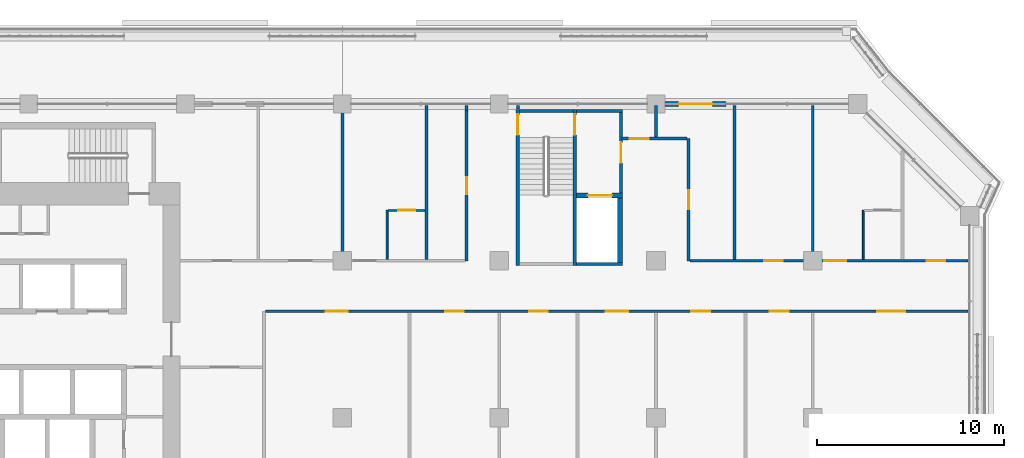
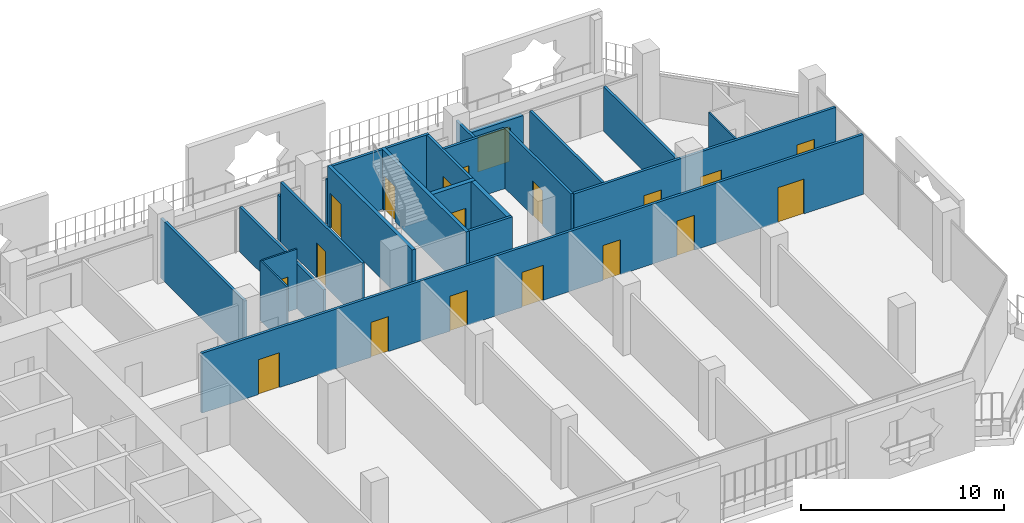
# One storey, part 13 of 21: 24 walls, 19 doors, 19 openings.
"""IFC4 building model written with IfcOpenShell, lengths in metres."""

from ifc_helpers import new_model, si_unit, direction, frame, frame_2d, origin, place, context, subcontext, project, spatial, rectangle, extrude, material, layer, layer_set, type_object, element, fill, save


model = new_model("IFC4")

# Units and contexts
model_context = context("Model", 3, precision=1e-05, world=origin(), true_north=direction((0.0, 1.0)))
body_context = subcontext(model_context, "Body", "Model", "MODEL_VIEW")
ifc_project = project(units=[si_unit("LENGTHUNIT", "METRE"), si_unit("AREAUNIT", "SQUARE_METRE"), si_unit("VOLUMEUNIT", "CUBIC_METRE"), si_unit("PLANEANGLEUNIT", "RADIAN"), si_unit("MASSUNIT", "GRAM", prefix="KILO")], contexts=[model_context])

# Site, building, storey
site_placement = place(None, origin())
site = spatial("IfcSite", under=ifc_project, at=site_placement, CompositionType="ELEMENT")
building_placement = place(site_placement, origin())
building = spatial("IfcBuilding", under=site, at=building_placement, Name="Kawkab Arch Medical Tower", CompositionType="ELEMENT")
storey_placement = place(building_placement, frame((0.0, 0.0, 200.39990234375)))
storey = spatial("IfcBuildingStorey", under=building, at=storey_placement, Name="L46", CompositionType="ELEMENT", Elevation=200.39990234375)

# Wall, opening, door
ifc_material_1 = material(Name="Gypsum board on steel studs", Category="steel")
ifc_layer_1 = layer(ifc_material_1, 0.14990234375)
ifc_layer_set_1 = layer_set([ifc_layer_1], Name="Gypsum board on steel studs")
wall_type_1 = type_object("IfcWallType", Name="Core room partition 150", PredefinedType="PARTITIONING", material=ifc_layer_set_1)
wall_1_placement = place(storey_placement, frame((48.52490234375, -4.77490234375, 0.0), z_axis=(0.0, 0.0, 1.0), x_axis=(0.0, 1.0, 0.0)))
wall_1 = element("IfcWall", 1, at=wall_1_placement, inside=storey, type_object=wall_type_1, Name="L46 core room partition", PredefinedType="PARTITIONING", context=body_context, shape_type="SweptSolid", body=[
    extrude(rectangle(XDim=4.324951171875, YDim=0.14990234375, at=frame_2d((2.16259765625, 0.0))), origin(), (0.0, 0.0, 1.0), 3.60009765625),
])
opening_1_placement = place(wall_1_placement, frame((1.625, 0.0, 0.0)))
opening_1 = element("IfcOpeningElement", 2, at=opening_1_placement, cuts=wall_1, Name="Opening FD", PredefinedType="OPENING", context=body_context, shape_type="SweptSolid", body=[
    extrude(rectangle(XDim=1.10009765625, YDim=2.10009765625, at=frame_2d((0.550048828125, 1.050048828125))), frame((0.0, 0.0849609375, 0.0), z_axis=(0.0, -1.0, 0.0), x_axis=(1.0, 0.0, 0.0)), (0.0, 0.0, 1.0), 0.169921875),
])
ifc_material_2 = material(Name="Hollow metal fire door leaf")
door_type_1 = type_object("IfcDoorType", Name="Firefighting lobby door 1100", OperationType="SINGLE_SWING_LEFT", PredefinedType="DOOR", material=ifc_material_2)
door_1_placement = place(opening_1_placement, origin())
door_1 = element("IfcDoor", 3, at=door_1_placement, inside=storey, type_object=door_type_1, Name="L46 Service lift lobby door SV1", OperationType="SINGLE_SWING_LEFT", OverallHeight=2.10009765625, OverallWidth=1.10009765625, PredefinedType="DOOR", context=body_context, shape_type="SweptSolid", body=[
    extrude(rectangle(XDim=1.10009765625, YDim=2.10009765625, at=frame_2d((0.550048828125, 1.050048828125))), frame((0.0, 0.02490234375, 0.0), z_axis=(0.0, -1.0, 0.0), x_axis=(1.0, 0.0, 0.0)), (0.0, 0.0, 1.0), 0.050048828125),
])
fill(opening_1, door_1)

ifc_material_3 = material(Name="Concrete C60/75", Category="concrete")
ifc_layer_2 = layer(ifc_material_3, 0.25)
ifc_layer_set_2 = layer_set([ifc_layer_2], Name="Concrete C60/75")
wall_type_2 = type_object("IfcWallType", Name="Core shear wall 250 C60/75", PredefinedType="SHEAR", material=ifc_layer_set_2)
wall_2_placement = place(storey_placement, frame((46.14990234375, -4.89990234375, 0.0), z_axis=(0.0, 0.0, 1.0), x_axis=(1.0, 0.0, 0.0)))
wall_2 = element("IfcWall", 4, at=wall_2_placement, inside=storey, type_object=wall_type_2, Name="L46 core shear wall", PredefinedType="SHEAR", context=body_context, shape_type="SweptSolid", body=[
    extrude(rectangle(XDim=2.4501953125, YDim=0.25, at=frame_2d((1.22509765625, 0.0))), origin(), (0.0, 0.0, 1.0), 3.60009765625),
])
opening_2_placement = place(wall_2_placement, frame((0.60009765625, 0.0, 0.0)))
opening_2 = element("IfcOpeningElement", 5, at=opening_2_placement, cuts=wall_2, Name="Opening LD2", PredefinedType="OPENING", context=body_context, shape_type="SweptSolid", body=[
    extrude(rectangle(XDim=1.300048828125, YDim=2.10009765625, at=frame_2d((0.64990234375, 1.050048828125))), frame((0.0, 0.135009765625, 0.0), z_axis=(0.0, -1.0, 0.0), x_axis=(1.0, 0.0, 0.0)), (0.0, 0.0, 1.0), 0.27001953125),
])
ifc_material_4 = material(Name="Stainless steel lift door leaf", Category="steel")
door_type_2 = type_object("IfcDoorType", Name="Lift landing door 1300", OperationType="DOUBLE_DOOR_SLIDING", PredefinedType="DOOR", material=ifc_material_4)
door_2_placement = place(opening_2_placement, origin())
door_2 = element("IfcDoor", 6, at=door_2_placement, inside=storey, type_object=door_type_2, Name="L46 Lift landing door SV1", OperationType="DOUBLE_DOOR_SLIDING", OverallHeight=2.10009765625, OverallWidth=1.300048828125, PredefinedType="DOOR", context=body_context, shape_type="SweptSolid", body=[
    extrude(rectangle(XDim=1.300048828125, YDim=2.10009765625, at=frame_2d((0.64990234375, 1.050048828125))), frame((0.0, 0.02490234375, 0.0), z_axis=(0.0, -1.0, 0.0), x_axis=(1.0, 0.0, 0.0)), (0.0, 0.0, 1.0), 0.050048828125),
])
fill(opening_2, door_2)

# Wall
wall_3_placement = place(storey_placement, frame((48.47509765625, -8.5, 0.0), z_axis=(0.0, 0.0, 1.0), x_axis=(0.0, 1.0, 0.0)))
element("IfcWall", 7, at=wall_3_placement, inside=storey, type_object=wall_type_2, Name="L46 core shear wall", PredefinedType="SHEAR", context=body_context, shape_type="SweptSolid", body=[
    extrude(rectangle(XDim=3.47509765625, YDim=0.25, at=frame_2d((1.737548828125, 0.0))), origin(), (0.0, 0.0, 1.0), 3.60009765625),
])

# Wall, opening, door
ifc_material_5 = material(Name="Bronze clad insulated wall panel")
ifc_layer_3 = layer(ifc_material_5, 0.25)
ifc_layer_set_3 = layer_set([ifc_layer_3], Name="Bronze clad insulated wall panel")
wall_type_3 = type_object("IfcWallType", Name="External wall bay 250", PredefinedType="SOLIDWALL", material=ifc_layer_set_3)
wall_4_placement = place(storey_placement, frame((54.14990234375, 0.0, 0.0), z_axis=(0.0, 0.0, 1.0), x_axis=(-1.0, 0.0, 0.0)))
wall_4 = element("IfcWall", 8, at=wall_4_placement, inside=storey, type_object=wall_type_3, Name="External wall bay L46.R11.1.3", PredefinedType="SOLIDWALL", context=body_context, shape_type="SweptSolid", body=[
    extrude(rectangle(XDim=3.27490234375, YDim=0.25, at=frame_2d((1.637451171875, 0.0))), origin(), (0.0, 0.0, 1.0), 2.580078125),
])
opening_3_placement = place(wall_4_placement, frame((0.737548828125, 0.0, 0.0)))
opening_3 = element("IfcOpeningElement", 9, at=opening_3_placement, cuts=wall_4, Name="Opening W41-701", PredefinedType="OPENING", context=body_context, shape_type="SweptSolid", body=[
    extrude(rectangle(XDim=1.800048828125, YDim=2.10009765625, at=frame_2d((0.89990234375, 1.050048828125))), frame((0.0, 0.135009765625, 0.0), z_axis=(0.0, -1.0, 0.0), x_axis=(1.0, 0.0, 0.0)), (0.0, 0.0, 1.0), 0.27001953125),
])
ifc_material_6 = material(Name="Bronze anodised aluminium door with tinted glass", Category="aluminium")
door_type_3 = type_object("IfcDoorType", Name="Double external door 1800 x 2100", OperationType="DOUBLE_DOOR_SINGLE_SWING", PredefinedType="DOOR", material=ifc_material_6)
door_3_placement = place(opening_3_placement, origin())
door_3 = element("IfcDoor", 10, at=door_3_placement, inside=storey, type_object=door_type_3, Name="External door L46.R11.1.3", OperationType="DOUBLE_DOOR_SINGLE_SWING", OverallHeight=2.10009765625, OverallWidth=1.800048828125, PredefinedType="DOOR", context=body_context, shape_type="SweptSolid", body=[
    extrude(rectangle(XDim=1.800048828125, YDim=2.10009765625, at=frame_2d((0.89990234375, 1.050048828125))), frame((0.0, 0.02490234375, 0.0), z_axis=(0.0, -1.0, 0.0), x_axis=(1.0, 0.0, 0.0)), (0.0, 0.0, 1.0), 0.050048828125),
])
fill(opening_3, door_3)

ifc_material_7 = material(Name="Gypsum board partition on steel studs", Category="steel")
ifc_layer_4 = layer(ifc_material_7, 0.10009765625)
ifc_layer_set_4 = layer_set([ifc_layer_4], Name="Gypsum board partition on steel studs")
wall_type_4 = type_object("IfcWallType", Name="Partition 100", PredefinedType="PARTITIONING", material=ifc_layer_set_4)
wall_5_placement = place(storey_placement, frame((36.050048828125, -5.699951171875, 0.0), z_axis=(0.0, 0.0, 1.0), x_axis=(1.0, 0.0, 0.0)))
wall_5 = element("IfcWall", 11, at=wall_5_placement, inside=storey, type_object=wall_type_4, Name="Partition 100 w002", PredefinedType="PARTITIONING", context=body_context, shape_type="SweptSolid", body=[
    extrude(rectangle(XDim=1.974853515625, YDim=0.10009765625, at=frame_2d((0.9873046875, 0.0))), origin(), (0.0, 0.0, 1.0), 3.60009765625),
])
opening_4_placement = place(wall_5_placement, frame((0.550048828125, 0.0, 0.0)))
opening_4 = element("IfcOpeningElement", 12, at=opening_4_placement, cuts=wall_5, Name="Opening W41-004", PredefinedType="OPENING", context=body_context, shape_type="SweptSolid", body=[
    extrude(rectangle(XDim=0.89990234375, YDim=2.10009765625, at=frame_2d((0.449951171875, 1.050048828125))), frame((0.0, 0.06005859375, 0.0), z_axis=(0.0, -1.0, 0.0), x_axis=(1.0, 0.0, 0.0)), (0.0, 0.0, 1.0), 0.1201171875),
])
ifc_material_8 = material(Name="Timber door leaf", Category="wood")
door_type_4 = type_object("IfcDoorType", Name="Single door 900x2100", OperationType="NOTDEFINED", PredefinedType="DOOR", material=ifc_material_8)
door_4_placement = place(opening_4_placement, origin())
door_4 = element("IfcDoor", 13, at=door_4_placement, inside=storey, type_object=door_type_4, Name="Door W41-004", OperationType="SINGLE_SWING_RIGHT", OverallHeight=2.10009765625, OverallWidth=0.89990234375, PredefinedType="DOOR", context=body_context, shape_type="SweptSolid", body=[
    extrude(rectangle(XDim=0.89990234375, YDim=2.10009765625, at=frame_2d((0.449951171875, 1.050048828125))), frame((0.0, 0.02490234375, 0.0), z_axis=(0.0, -1.0, 0.0), x_axis=(1.0, 0.0, 0.0)), (0.0, 0.0, 1.0), 0.050048828125),
])
fill(opening_4, door_4)

# Walls
for number, where, z_axis, x_axis, name in (
    (14, (36.0, -8.324951171875, 0.0), (0.0, 0.0, 1.0), (0.0, 1.0, 0.0), "Partition 100 w005"),
    (15, (61.5, -8.324951171875, 0.0), (0.0, 0.0, 1.0), (0.0, 1.0, 0.0), "Partition 100 w006"),
):
    element("IfcWall", number, at=place(storey_placement, frame(where, z_axis=z_axis, x_axis=x_axis)), inside=storey, type_object=wall_type_4, Name=name, PredefinedType="PARTITIONING", context=body_context, shape_type="SweptSolid", body=[
        extrude(rectangle(XDim=2.625, YDim=0.10009765625, at=frame_2d((1.3125, 0.0))), origin(), (0.0, 0.0, 1.0), 3.60009765625),
    ])

# Wall, openings, doors
ifc_material_9 = material(Name="Gypsum board partition on steel studs, mineral wool", Category="steel")
ifc_layer_5 = layer(ifc_material_9, 0.14990234375)
ifc_layer_set_5 = layer_set([ifc_layer_5], Name="Gypsum board partition on steel studs, mineral wool")
wall_type_5 = type_object("IfcWallType", Name="Partition 150", PredefinedType="PARTITIONING", material=ifc_layer_set_5)
wall_6_placement = place(storey_placement, frame((29.47509765625, -11.10009765625, 0.0), z_axis=(0.0, 0.0, 1.0), x_axis=(1.0, 0.0, 0.0)))
wall_6 = element("IfcWall", 16, at=wall_6_placement, inside=storey, type_object=wall_type_5, Name="Partition 150 w020", PredefinedType="PARTITIONING", context=body_context, shape_type="SweptSolid", body=[
    extrude(rectangle(XDim=37.64501953125, YDim=0.14990234375, at=frame_2d((18.822509765625, 0.0))), origin(), (0.0, 0.0, 1.0), 3.60009765625),
])
opening_5_placement = place(wall_6_placement, frame((3.22509765625, 0.0, 0.0)))
opening_5 = element("IfcOpeningElement", 17, at=opening_5_placement, cuts=wall_6, Name="Opening W41-026", PredefinedType="OPENING", context=body_context, shape_type="SweptSolid", body=[
    extrude(rectangle(XDim=1.199951171875, YDim=2.10009765625, at=frame_2d((0.60009765625, 1.050048828125))), frame((0.0, 0.0849609375, 0.0), z_axis=(0.0, -1.0, 0.0), x_axis=(1.0, 0.0, 0.0)), (0.0, 0.0, 1.0), 0.169921875),
])
opening_6_placement = place(wall_6_placement, frame((9.625, 0.0, 0.0)))
opening_6 = element("IfcOpeningElement", 18, at=opening_6_placement, cuts=wall_6, Name="Opening W41-013", PredefinedType="OPENING", context=body_context, shape_type="SweptSolid", body=[
    extrude(rectangle(XDim=1.0, YDim=2.10009765625, at=frame_2d((0.5, 1.050048828125))), frame((0.0, 0.0849609375, 0.0), z_axis=(0.0, -1.0, 0.0), x_axis=(1.0, 0.0, 0.0)), (0.0, 0.0, 1.0), 0.169921875),
])
opening_7_placement = place(wall_6_placement, frame((14.125, 0.0, 0.0)))
opening_7 = element("IfcOpeningElement", 19, at=opening_7_placement, cuts=wall_6, Name="Opening W41-014", PredefinedType="OPENING", context=body_context, shape_type="SweptSolid", body=[
    extrude(rectangle(XDim=1.0, YDim=2.10009765625, at=frame_2d((0.5, 1.050048828125))), frame((0.0, 0.0849609375, 0.0), z_axis=(0.0, -1.0, 0.0), x_axis=(1.0, 0.0, 0.0)), (0.0, 0.0, 1.0), 0.169921875),
])
opening_8_placement = place(wall_6_placement, frame((18.22509765625, 0.0, 0.0)))
opening_8 = element("IfcOpeningElement", 20, at=opening_8_placement, cuts=wall_6, Name="Opening W41-027", PredefinedType="OPENING", context=body_context, shape_type="SweptSolid", body=[
    extrude(rectangle(XDim=1.199951171875, YDim=2.10009765625, at=frame_2d((0.60009765625, 1.050048828125))), frame((0.0, 0.0849609375, 0.0), z_axis=(0.0, -1.0, 0.0), x_axis=(1.0, 0.0, 0.0)), (0.0, 0.0, 1.0), 0.169921875),
])
opening_9_placement = place(wall_6_placement, frame((22.824951171875, 0.0, 0.0)))
opening_9 = element("IfcOpeningElement", 21, at=opening_9_placement, cuts=wall_6, Name="Opening W41-015", PredefinedType="OPENING", context=body_context, shape_type="SweptSolid", body=[
    extrude(rectangle(XDim=1.0, YDim=2.10009765625, at=frame_2d((0.5, 1.050048828125))), frame((0.0, 0.0849609375, 0.0), z_axis=(0.0, -1.0, 0.0), x_axis=(1.0, 0.0, 0.0)), (0.0, 0.0, 1.0), 0.169921875),
])
opening_10_placement = place(wall_6_placement, frame((27.02490234375, 0.0, 0.0)))
opening_10 = element("IfcOpeningElement", 22, at=opening_10_placement, cuts=wall_6, Name="Opening W41-016", PredefinedType="OPENING", context=body_context, shape_type="SweptSolid", body=[
    extrude(rectangle(XDim=1.0, YDim=2.10009765625, at=frame_2d((0.5, 1.050048828125))), frame((0.0, 0.0849609375, 0.0), z_axis=(0.0, -1.0, 0.0), x_axis=(1.0, 0.0, 0.0)), (0.0, 0.0, 1.0), 0.169921875),
])
opening_11_placement = place(wall_6_placement, frame((32.77490234375, 0.0, 0.0)))
opening_11 = element("IfcOpeningElement", 23, at=opening_11_placement, cuts=wall_6, Name="Opening W41-002", PredefinedType="OPENING", context=body_context, shape_type="SweptSolid", body=[
    extrude(rectangle(XDim=1.5, YDim=2.10009765625, at=frame_2d((0.75, 1.050048828125))), frame((0.0, 0.0849609375, 0.0), z_axis=(0.0, -1.0, 0.0), x_axis=(1.0, 0.0, 0.0)), (0.0, 0.0, 1.0), 0.169921875),
])
ifc_material_10 = material(Name="Hollow metal door leaf")
door_type_5 = type_object("IfcDoorType", Name="Double door 1500x2100 FD30S", OperationType="NOTDEFINED", PredefinedType="DOOR", material=ifc_material_10)
door_5_placement = place(opening_11_placement, origin())
door_5 = element("IfcDoor", 24, at=door_5_placement, inside=storey, type_object=door_type_5, Name="Door W41-002", OperationType="DOUBLE_DOOR_SINGLE_SWING", OverallHeight=2.10009765625, OverallWidth=1.5, PredefinedType="DOOR", context=body_context, shape_type="SweptSolid", body=[
    extrude(rectangle(XDim=1.5, YDim=2.10009765625, at=frame_2d((0.75, 1.050048828125))), frame((0.0, 0.02490234375, 0.0), z_axis=(0.0, -1.0, 0.0), x_axis=(1.0, 0.0, 0.0)), (0.0, 0.0, 1.0), 0.050048828125),
])
fill(opening_11, door_5)
ifc_material_11 = material(Name="Hollow metal door leaf")
door_type_6 = type_object("IfcDoorType", Name="Single door 1000x2100 FD30S", OperationType="NOTDEFINED", PredefinedType="DOOR", material=ifc_material_11)
door_6_placement = place(opening_6_placement, origin())
door_6 = element("IfcDoor", 25, at=door_6_placement, inside=storey, type_object=door_type_6, Name="Door W41-013", OperationType="SINGLE_SWING_RIGHT", OverallHeight=2.10009765625, OverallWidth=1.0, PredefinedType="DOOR", context=body_context, shape_type="SweptSolid", body=[
    extrude(rectangle(XDim=1.0, YDim=2.10009765625, at=frame_2d((0.5, 1.050048828125))), frame((0.0, 0.02490234375, 0.0), z_axis=(0.0, -1.0, 0.0), x_axis=(1.0, 0.0, 0.0)), (0.0, 0.0, 1.0), 0.050048828125),
])
fill(opening_6, door_6)
door_7_placement = place(opening_7_placement, origin())
door_7 = element("IfcDoor", 26, at=door_7_placement, inside=storey, type_object=door_type_6, Name="Door W41-014", OperationType="SINGLE_SWING_RIGHT", OverallHeight=2.10009765625, OverallWidth=1.0, PredefinedType="DOOR", context=body_context, shape_type="SweptSolid", body=[
    extrude(rectangle(XDim=1.0, YDim=2.10009765625, at=frame_2d((0.5, 1.050048828125))), frame((0.0, 0.02490234375, 0.0), z_axis=(0.0, -1.0, 0.0), x_axis=(1.0, 0.0, 0.0)), (0.0, 0.0, 1.0), 0.050048828125),
])
fill(opening_7, door_7)
door_8_placement = place(opening_9_placement, origin())
door_8 = element("IfcDoor", 27, at=door_8_placement, inside=storey, type_object=door_type_6, Name="Door W41-015", OperationType="SINGLE_SWING_LEFT", OverallHeight=2.10009765625, OverallWidth=1.0, PredefinedType="DOOR", context=body_context, shape_type="SweptSolid", body=[
    extrude(rectangle(XDim=1.0, YDim=2.10009765625, at=frame_2d((0.5, 1.050048828125))), frame((0.0, 0.02490234375, 0.0), z_axis=(0.0, -1.0, 0.0), x_axis=(1.0, 0.0, 0.0)), (0.0, 0.0, 1.0), 0.050048828125),
])
fill(opening_9, door_8)
door_9_placement = place(opening_10_placement, origin())
door_9 = element("IfcDoor", 28, at=door_9_placement, inside=storey, type_object=door_type_6, Name="Door W41-016", OperationType="SINGLE_SWING_LEFT", OverallHeight=2.10009765625, OverallWidth=1.0, PredefinedType="DOOR", context=body_context, shape_type="SweptSolid", body=[
    extrude(rectangle(XDim=1.0, YDim=2.10009765625, at=frame_2d((0.5, 1.050048828125))), frame((0.0, 0.02490234375, 0.0), z_axis=(0.0, -1.0, 0.0), x_axis=(1.0, 0.0, 0.0)), (0.0, 0.0, 1.0), 0.050048828125),
])
fill(opening_10, door_9)
ifc_material_12 = material(Name="Hollow metal door leaf")
door_type_7 = type_object("IfcDoorType", Name="Single door 1200x2100 FD30S", OperationType="NOTDEFINED", PredefinedType="DOOR", material=ifc_material_12)
door_10_placement = place(opening_5_placement, origin())
door_10 = element("IfcDoor", 29, at=door_10_placement, inside=storey, type_object=door_type_7, Name="Door W41-026", OperationType="SINGLE_SWING_RIGHT", OverallHeight=2.10009765625, OverallWidth=1.199951171875, PredefinedType="DOOR", context=body_context, shape_type="SweptSolid", body=[
    extrude(rectangle(XDim=1.199951171875, YDim=2.10009765625, at=frame_2d((0.60009765625, 1.050048828125))), frame((0.0, 0.02490234375, 0.0), z_axis=(0.0, -1.0, 0.0), x_axis=(1.0, 0.0, 0.0)), (0.0, 0.0, 1.0), 0.050048828125),
])
fill(opening_5, door_10)
door_11_placement = place(opening_8_placement, origin())
door_11 = element("IfcDoor", 30, at=door_11_placement, inside=storey, type_object=door_type_7, Name="Door W41-027", OperationType="SINGLE_SWING_LEFT", OverallHeight=2.10009765625, OverallWidth=1.199951171875, PredefinedType="DOOR", context=body_context, shape_type="SweptSolid", body=[
    extrude(rectangle(XDim=1.199951171875, YDim=2.10009765625, at=frame_2d((0.60009765625, 1.050048828125))), frame((0.0, 0.02490234375, 0.0), z_axis=(0.0, -1.0, 0.0), x_axis=(1.0, 0.0, 0.0)), (0.0, 0.0, 1.0), 0.050048828125),
])
fill(opening_8, door_11)

wall_7_placement = place(storey_placement, frame((52.218017578125, -8.39990234375, 0.0), z_axis=(0.0, 0.0, 1.0), x_axis=(1.0, 0.0, 0.0)))
wall_7 = element("IfcWall", 31, at=wall_7_placement, inside=storey, type_object=wall_type_5, Name="Partition 150 w023", PredefinedType="PARTITIONING", context=body_context, shape_type="SweptSolid", body=[
    extrude(rectangle(XDim=14.902099609375, YDim=0.14990234375, at=frame_2d((7.451171875, 0.0))), origin(), (0.0, 0.0, 1.0), 3.60009765625),
])
opening_12_placement = place(wall_7_placement, frame((3.98193359375, 0.0, 0.0)))
opening_12 = element("IfcOpeningElement", 32, at=opening_12_placement, cuts=wall_7, Name="Opening W41-011", PredefinedType="OPENING", context=body_context, shape_type="SweptSolid", body=[
    extrude(rectangle(XDim=1.0, YDim=2.10009765625, at=frame_2d((0.5, 1.050048828125))), frame((0.0, 0.0849609375, 0.0), z_axis=(0.0, -1.0, 0.0), x_axis=(1.0, 0.0, 0.0)), (0.0, 0.0, 1.0), 0.169921875),
])
opening_13_placement = place(wall_7_placement, frame((7.181884765625, 0.0, 0.0)))
opening_13 = element("IfcOpeningElement", 33, at=opening_13_placement, cuts=wall_7, Name="Opening W41-025", PredefinedType="OPENING", context=body_context, shape_type="SweptSolid", body=[
    extrude(rectangle(XDim=1.199951171875, YDim=2.10009765625, at=frame_2d((0.60009765625, 1.050048828125))), frame((0.0, 0.0849609375, 0.0), z_axis=(0.0, -1.0, 0.0), x_axis=(1.0, 0.0, 0.0)), (0.0, 0.0, 1.0), 0.169921875),
])
opening_14_placement = place(wall_7_placement, frame((12.681884765625, 0.0, 0.0)))
opening_14 = element("IfcOpeningElement", 34, at=opening_14_placement, cuts=wall_7, Name="Opening W41-012", PredefinedType="OPENING", context=body_context, shape_type="SweptSolid", body=[
    extrude(rectangle(XDim=1.0, YDim=2.10009765625, at=frame_2d((0.5, 1.050048828125))), frame((0.0, 0.0849609375, 0.0), z_axis=(0.0, -1.0, 0.0), x_axis=(1.0, 0.0, 0.0)), (0.0, 0.0, 1.0), 0.169921875),
])
door_12_placement = place(opening_12_placement, origin())
door_12 = element("IfcDoor", 35, at=door_12_placement, inside=storey, type_object=door_type_6, Name="Door W41-011", OperationType="SINGLE_SWING_LEFT", OverallHeight=2.10009765625, OverallWidth=1.0, PredefinedType="DOOR", context=body_context, shape_type="SweptSolid", body=[
    extrude(rectangle(XDim=1.0, YDim=2.10009765625, at=frame_2d((0.5, 1.050048828125))), frame((0.0, 0.02490234375, 0.0), z_axis=(0.0, -1.0, 0.0), x_axis=(1.0, 0.0, 0.0)), (0.0, 0.0, 1.0), 0.050048828125),
])
fill(opening_12, door_12)
door_13_placement = place(opening_14_placement, origin())
door_13 = element("IfcDoor", 36, at=door_13_placement, inside=storey, type_object=door_type_6, Name="Door W41-012", OperationType="SINGLE_SWING_RIGHT", OverallHeight=2.10009765625, OverallWidth=1.0, PredefinedType="DOOR", context=body_context, shape_type="SweptSolid", body=[
    extrude(rectangle(XDim=1.0, YDim=2.10009765625, at=frame_2d((0.5, 1.050048828125))), frame((0.0, 0.02490234375, 0.0), z_axis=(0.0, -1.0, 0.0), x_axis=(1.0, 0.0, 0.0)), (0.0, 0.0, 1.0), 0.050048828125),
])
fill(opening_14, door_13)
door_14_placement = place(opening_13_placement, origin())
door_14 = element("IfcDoor", 37, at=door_14_placement, inside=storey, type_object=door_type_7, Name="Door W41-025", OperationType="SINGLE_SWING_RIGHT", OverallHeight=2.10009765625, OverallWidth=1.199951171875, PredefinedType="DOOR", context=body_context, shape_type="SweptSolid", body=[
    extrude(rectangle(XDim=1.199951171875, YDim=2.10009765625, at=frame_2d((0.60009765625, 1.050048828125))), frame((0.0, 0.02490234375, 0.0), z_axis=(0.0, -1.0, 0.0), x_axis=(1.0, 0.0, 0.0)), (0.0, 0.0, 1.0), 0.050048828125),
])
fill(opening_13, door_14)

# Wall, opening, door
wall_8_placement = place(storey_placement, frame((48.550048828125, -1.85009765625, 0.0), z_axis=(0.0, 0.0, 1.0), x_axis=(1.0, 0.0, 0.0)))
wall_8 = element("IfcWall", 38, at=wall_8_placement, inside=storey, type_object=wall_type_5, Name="Partition 150 w024", PredefinedType="PARTITIONING", context=body_context, shape_type="SweptSolid", body=[
    extrude(rectangle(XDim=3.515869140625, YDim=0.14990234375, at=frame_2d((1.7578125, 0.0))), origin(), (0.0, 0.0, 1.0), 3.60009765625),
])
opening_15_placement = place(wall_8_placement, frame((0.449951171875, 0.0, 0.0)))
opening_15 = element("IfcOpeningElement", 39, at=opening_15_placement, cuts=wall_8, Name="Opening W41-009", PredefinedType="OPENING", context=body_context, shape_type="SweptSolid", body=[
    extrude(rectangle(XDim=1.0, YDim=2.10009765625, at=frame_2d((0.5, 1.050048828125))), frame((0.0, 0.0849609375, 0.0), z_axis=(0.0, -1.0, 0.0), x_axis=(1.0, 0.0, 0.0)), (0.0, 0.0, 1.0), 0.169921875),
])
door_15_placement = place(opening_15_placement, origin())
door_15 = element("IfcDoor", 40, at=door_15_placement, inside=storey, type_object=door_type_6, Name="Door W41-009", OperationType="SINGLE_SWING_LEFT", OverallHeight=2.10009765625, OverallWidth=1.0, PredefinedType="DOOR", context=body_context, shape_type="SweptSolid", body=[
    extrude(rectangle(XDim=1.0, YDim=2.10009765625, at=frame_2d((0.5, 1.050048828125))), frame((0.0, 0.02490234375, 0.0), z_axis=(0.0, -1.0, 0.0), x_axis=(1.0, 0.0, 0.0)), (0.0, 0.0, 1.0), 0.050048828125),
])
fill(opening_15, door_15)

# Walls
wall_9_placement = place(storey_placement, frame((33.60009765625, -8.324951171875, 0.0), z_axis=(0.0, 0.0, 1.0), x_axis=(0.0, 1.0, 0.0)))
element("IfcWall", 41, at=wall_9_placement, inside=storey, type_object=wall_type_5, Name="Partition 150 w033", PredefinedType="PARTITIONING", context=body_context, shape_type="SweptSolid", body=[
    extrude(rectangle(XDim=8.244873046875, YDim=0.14990234375, at=frame_2d((4.12255859375, 0.0))), origin(), (0.0, 0.0, 1.0), 3.60009765625),
])
wall_10_placement = place(storey_placement, frame((38.10009765625, -8.324951171875, 0.0), z_axis=(0.0, 0.0, 1.0), x_axis=(0.0, 1.0, 0.0)))
element("IfcWall", 42, at=wall_10_placement, inside=storey, type_object=wall_type_5, Name="Partition 150 w035", PredefinedType="PARTITIONING", context=body_context, shape_type="SweptSolid", body=[
    extrude(rectangle(XDim=8.244873046875, YDim=0.14990234375, at=frame_2d((4.12255859375, 0.0))), origin(), (0.0, 0.0, 1.0), 2.7001953125),
])

# Wall, opening, door
wall_11_placement = place(storey_placement, frame((40.257080078125, -8.39990234375, 0.0), z_axis=(0.0, 0.0, 1.0), x_axis=(0.0, 1.0, 0.0)))
wall_11 = element("IfcWall", 43, at=wall_11_placement, inside=storey, type_object=wall_type_5, Name="Partition 150 w036", PredefinedType="PARTITIONING", context=body_context, shape_type="SweptSolid", body=[
    extrude(rectangle(XDim=8.0478515625, YDim=0.14990234375, at=frame_2d((4.02392578125, 0.0))), origin(), (0.0, 0.0, 1.0), 3.60009765625),
])
opening_16_placement = place(wall_11_placement, frame((3.573974609375, 0.0, 0.0)))
opening_16 = element("IfcOpeningElement", 44, at=opening_16_placement, cuts=wall_11, Name="Opening W41-007", PredefinedType="OPENING", context=body_context, shape_type="SweptSolid", body=[
    extrude(rectangle(XDim=0.89990234375, YDim=2.10009765625, at=frame_2d((0.449951171875, 1.050048828125))), frame((0.0, 0.0849609375, 0.0), z_axis=(0.0, -1.0, 0.0), x_axis=(1.0, 0.0, 0.0)), (0.0, 0.0, 1.0), 0.169921875),
])
door_16_placement = place(opening_16_placement, origin())
door_16 = element("IfcDoor", 45, at=door_16_placement, inside=storey, type_object=door_type_4, Name="Door W41-007", OperationType="SINGLE_SWING_LEFT", OverallHeight=2.10009765625, OverallWidth=0.89990234375, PredefinedType="DOOR", context=body_context, shape_type="SweptSolid", body=[
    extrude(rectangle(XDim=0.89990234375, YDim=2.10009765625, at=frame_2d((0.449951171875, 1.050048828125))), frame((0.0, 0.02490234375, 0.0), z_axis=(0.0, -1.0, 0.0), x_axis=(1.0, 0.0, 0.0)), (0.0, 0.0, 1.0), 0.050048828125),
])
fill(opening_16, door_16)

# Walls
wall_12_placement = place(storey_placement, frame((40.257080078125, -0.35009765625, 0.0), z_axis=(0.0, 0.0, 1.0), x_axis=(0.0, 1.0, 0.0)))
element("IfcWall", 46, at=wall_12_placement, inside=storey, type_object=wall_type_5, Name="Partition 150 w037", PredefinedType="PARTITIONING", context=body_context, shape_type="SweptSolid", body=[
    extrude(rectangle(XDim=0.27001953125, YDim=0.14990234375, at=frame_2d((0.135009765625, 0.0))), origin(), (0.0, 0.0, 1.0), 2.7001953125),
])
wall_13_placement = place(storey_placement, frame((43.0, -0.27001953125, 0.0), z_axis=(0.0, 0.0, 1.0), x_axis=(0.0, 1.0, 0.0)))
element("IfcWall", 47, at=wall_13_placement, inside=storey, type_object=wall_type_5, Name="Partition 150 w039", PredefinedType="PARTITIONING", context=body_context, shape_type="SweptSolid", body=[
    extrude(rectangle(XDim=0.18994140625, YDim=0.14990234375, at=frame_2d((0.094970703125, 0.0))), origin(), (0.0, 0.0, 1.0), 2.7001953125),
])
wall_14_placement = place(storey_placement, frame((50.39990234375, -1.77490234375, 0.0), z_axis=(0.0, 0.0, 1.0), x_axis=(0.0, 1.0, 0.0)))
element("IfcWall", 48, at=wall_14_placement, inside=storey, type_object=wall_type_5, Name="Partition 150 w042", PredefinedType="PARTITIONING", context=body_context, shape_type="SweptSolid", body=[
    extrude(rectangle(XDim=1.69482421875, YDim=0.14990234375, at=frame_2d((0.847412109375, 0.0))), origin(), (0.0, 0.0, 1.0), 3.60009765625),
])

# Wall, opening, door
wall_15_placement = place(storey_placement, frame((52.14306640625, -8.39990234375, 0.0), z_axis=(0.0, 0.0, 1.0), x_axis=(0.0, 1.0, 0.0)))
wall_15 = element("IfcWall", 49, at=wall_15_placement, inside=storey, type_object=wall_type_5, Name="Partition 150 w043", PredefinedType="PARTITIONING", context=body_context, shape_type="SweptSolid", body=[
    extrude(rectangle(XDim=6.548828125, YDim=0.14990234375, at=frame_2d((3.2744140625, 0.0))), origin(), (0.0, 0.0, 1.0), 3.60009765625),
])
opening_17_placement = place(wall_15_placement, frame((2.77392578125, 0.0, 0.0)))
opening_17 = element("IfcOpeningElement", 50, at=opening_17_placement, cuts=wall_15, Name="Opening W41-010", PredefinedType="OPENING", context=body_context, shape_type="SweptSolid", body=[
    extrude(rectangle(XDim=1.0, YDim=2.10009765625, at=frame_2d((0.5, 1.050048828125))), frame((0.0, 0.0849609375, 0.0), z_axis=(0.0, -1.0, 0.0), x_axis=(1.0, 0.0, 0.0)), (0.0, 0.0, 1.0), 0.169921875),
])
door_17_placement = place(opening_17_placement, origin())
door_17 = element("IfcDoor", 51, at=door_17_placement, inside=storey, type_object=door_type_6, Name="Door W41-010", OperationType="SINGLE_SWING_LEFT", OverallHeight=2.10009765625, OverallWidth=1.0, PredefinedType="DOOR", context=body_context, shape_type="SweptSolid", body=[
    extrude(rectangle(XDim=1.0, YDim=2.10009765625, at=frame_2d((0.5, 1.050048828125))), frame((0.0, 0.02490234375, 0.0), z_axis=(0.0, -1.0, 0.0), x_axis=(1.0, 0.0, 0.0)), (0.0, 0.0, 1.0), 0.050048828125),
])
fill(opening_17, door_17)

# Walls
for number, where, z_axis, x_axis, name in (
    (52, (54.60009765625, -8.324951171875, 0.0), (0.0, 0.0, 1.0), (0.0, 1.0, 0.0), "Partition 150 w044"),
    (53, (58.800048828125, -8.324951171875, 0.0), (0.0, 0.0, 1.0), (0.0, 1.0, 0.0), "Partition 150 w047"),
):
    element("IfcWall", number, at=place(storey_placement, frame(where, z_axis=z_axis, x_axis=x_axis)), inside=storey, type_object=wall_type_5, Name=name, PredefinedType="PARTITIONING", context=body_context, shape_type="SweptSolid", body=[
        extrude(rectangle(XDim=8.244873046875, YDim=0.14990234375, at=frame_2d((4.12255859375, 0.0))), origin(), (0.0, 0.0, 1.0), 2.7001953125),
    ])
ifc_material_13 = material(Name="Concrete C50/60", Category="concrete")
ifc_layer_6 = layer(ifc_material_13, 0.14990234375)
ifc_layer_set_6 = layer_set([ifc_layer_6], Name="Concrete C50/60")
wall_type_6 = type_object("IfcWallType", Name="Stair enclosure wall 150 C50/60", PredefinedType="SHEAR", material=ifc_layer_set_6)
wall_16_placement = place(storey_placement, frame((43.10009765625, -0.375, 0.0), z_axis=(0.0, 0.0, 1.0), x_axis=(1.0, 0.0, 0.0)))
element("IfcWall", 54, at=wall_16_placement, inside=storey, type_object=wall_type_6, Name="L46 stair enclosure wall", PredefinedType="SHEAR", context=body_context, shape_type="SweptSolid", body=[
    extrude(rectangle(XDim=2.849853515625, YDim=0.14990234375, at=frame_2d((1.4248046875, 0.0))), origin(), (0.0, 0.0, 1.0), 3.60009765625),
])
for number, where, z_axis, x_axis, name in (
    (55, (46.14990234375, -0.375, 0.0), (0.0, 0.0, 1.0), (1.0, 0.0, 0.0), "L46 stair enclosure wall"),
    (56, (46.14990234375, -8.574951171875, 0.0), (0.0, 0.0, 1.0), (1.0, 0.0, 0.0), "L46 stair enclosure wall"),
):
    element("IfcWall", number, at=place(storey_placement, frame(where, z_axis=z_axis, x_axis=x_axis)), inside=storey, type_object=wall_type_6, Name=name, PredefinedType="SHEAR", context=body_context, shape_type="SweptSolid", body=[
        extrude(rectangle(XDim=2.4501953125, YDim=0.14990234375, at=frame_2d((1.22509765625, 0.0))), origin(), (0.0, 0.0, 1.0), 3.60009765625),
    ])

# Wall, opening, door
ifc_material_14 = material(Name="Concrete C50/60", Category="concrete")
ifc_layer_7 = layer(ifc_material_14, 0.199951171875)
ifc_layer_set_7 = layer_set([ifc_layer_7], Name="Concrete C50/60")
wall_type_7 = type_object("IfcWallType", Name="Stair enclosure wall 200 C50/60", PredefinedType="SHEAR", material=ifc_layer_set_7)
wall_17_placement = place(storey_placement, frame((43.0, -8.64990234375, 0.0), z_axis=(0.0, 0.0, 1.0), x_axis=(0.0, 1.0, 0.0)))
wall_17 = element("IfcWall", 57, at=wall_17_placement, inside=storey, type_object=wall_type_7, Name="L46 stair enclosure wall", PredefinedType="SHEAR", context=body_context, shape_type="SweptSolid", body=[
    extrude(rectangle(XDim=8.349853515625, YDim=0.199951171875, at=frame_2d((4.1748046875, 0.0))), origin(), (0.0, 0.0, 1.0), 3.60009765625),
])
opening_18_placement = place(wall_17_placement, frame((7.0, 0.0, 0.0)))
opening_18 = element("IfcOpeningElement", 58, at=opening_18_placement, cuts=wall_17, Name="Opening SD", PredefinedType="OPENING", context=body_context, shape_type="SweptSolid", body=[
    extrude(rectangle(XDim=1.10009765625, YDim=2.10009765625, at=frame_2d((0.550048828125, 1.050048828125))), frame((0.0, 0.10986328125, 0.0), z_axis=(0.0, -1.0, 0.0), x_axis=(1.0, 0.0, 0.0)), (0.0, 0.0, 1.0), 0.219970703125),
])
ifc_material_15 = material(Name="Hollow metal fire door leaf")
door_type_8 = type_object("IfcDoorType", Name="Exit stair door 1100", OperationType="SINGLE_SWING_LEFT", PredefinedType="DOOR", material=ifc_material_15)
door_18_placement = place(opening_18_placement, frame((1.10009765625, 0.0, 0.0), z_axis=(0.0, 0.0, 1.0), x_axis=(-1.0, 0.0, 0.0)))
door_18 = element("IfcDoor", 59, at=door_18_placement, inside=storey, type_object=door_type_8, Name="L46 Exit stair ST5 door", OperationType="SINGLE_SWING_LEFT", OverallHeight=2.10009765625, OverallWidth=1.10009765625, PredefinedType="DOOR", context=body_context, shape_type="SweptSolid", body=[
    extrude(rectangle(XDim=1.10009765625, YDim=2.10009765625, at=frame_2d((0.550048828125, 1.050048828125))), frame((0.0, 0.02490234375, 0.0), z_axis=(0.0, -1.0, 0.0), x_axis=(1.0, 0.0, 0.0)), (0.0, 0.0, 1.0), 0.050048828125),
])
fill(opening_18, door_18)

wall_18_placement = place(storey_placement, frame((46.050048828125, -8.64990234375, 0.0), z_axis=(0.0, 0.0, 1.0), x_axis=(0.0, 1.0, 0.0)))
wall_18 = element("IfcWall", 60, at=wall_18_placement, inside=storey, type_object=wall_type_7, Name="L46 stair enclosure wall", PredefinedType="SHEAR", context=body_context, shape_type="SweptSolid", body=[
    extrude(rectangle(XDim=8.349853515625, YDim=0.199951171875, at=frame_2d((4.1748046875, 0.0))), origin(), (0.0, 0.0, 1.0), 3.60009765625),
])
opening_19_placement = place(wall_18_placement, frame((7.0, 0.0, 0.0)))
opening_19 = element("IfcOpeningElement", 61, at=opening_19_placement, cuts=wall_18, Name="Opening SD", PredefinedType="OPENING", context=body_context, shape_type="SweptSolid", body=[
    extrude(rectangle(XDim=1.10009765625, YDim=2.10009765625, at=frame_2d((0.550048828125, 1.050048828125))), frame((0.0, 0.10986328125, 0.0), z_axis=(0.0, -1.0, 0.0), x_axis=(1.0, 0.0, 0.0)), (0.0, 0.0, 1.0), 0.219970703125),
])
door_19_placement = place(opening_19_placement, origin())
door_19 = element("IfcDoor", 62, at=door_19_placement, inside=storey, type_object=door_type_8, Name="L46 Exit stair ST5 lobby door", OperationType="SINGLE_SWING_LEFT", OverallHeight=2.10009765625, OverallWidth=1.10009765625, PredefinedType="DOOR", context=body_context, shape_type="SweptSolid", body=[
    extrude(rectangle(XDim=1.10009765625, YDim=2.10009765625, at=frame_2d((0.550048828125, 1.050048828125))), frame((0.0, 0.02490234375, 0.0), z_axis=(0.0, -1.0, 0.0), x_axis=(1.0, 0.0, 0.0)), (0.0, 0.0, 1.0), 0.050048828125),
])
fill(opening_19, door_19)

save(model, "model.ifc")
